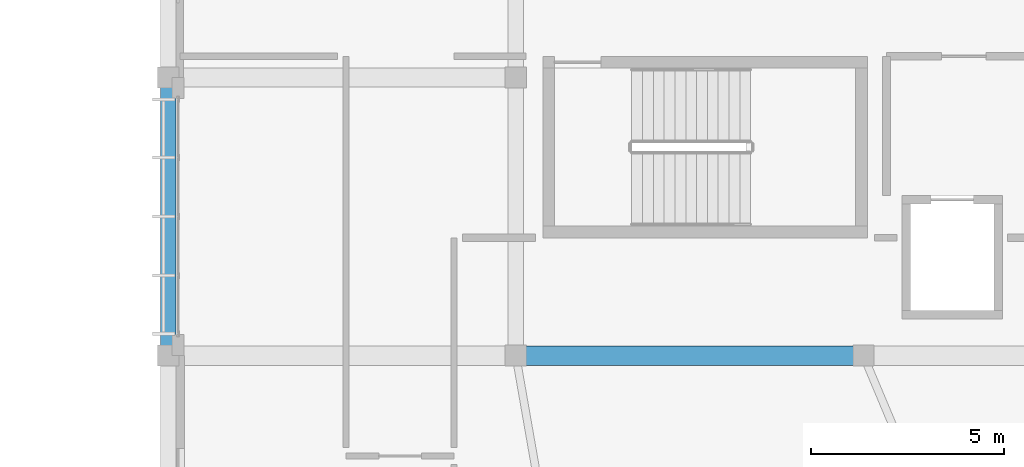
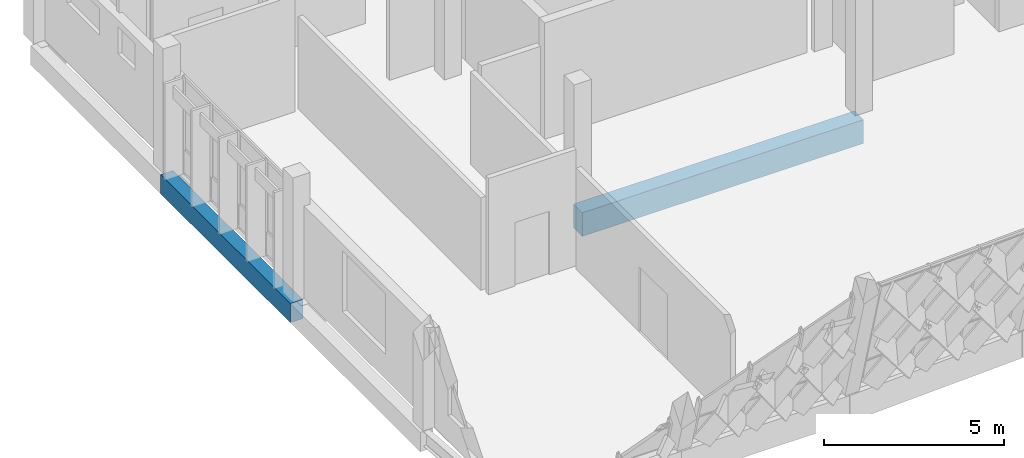
# One storey, part 23 of 94: 2 beams.
"""IFC4 building model written with IfcOpenShell, lengths in metres."""

from ifc_helpers import new_model, si_unit, direction, frame, origin, origin_2d, place, context, subcontext, project, spatial, rectangle, extrude, material, material_profile, profile_set, type_object, element, save


model = new_model("IFC4")

# Units and contexts
model_context = context("Model", 3, precision=1e-05, world=origin(), true_north=direction((0.0, 1.0)))
body_context = subcontext(model_context, "Body", "Model", "MODEL_VIEW")
ifc_project = project(units=[si_unit("LENGTHUNIT", "METRE"), si_unit("AREAUNIT", "SQUARE_METRE"), si_unit("VOLUMEUNIT", "CUBIC_METRE"), si_unit("PLANEANGLEUNIT", "RADIAN"), si_unit("MASSUNIT", "GRAM", prefix="KILO")], contexts=[model_context])

# Site, building, storey
site_placement = place(None, origin())
site = spatial("IfcSite", under=ifc_project, at=site_placement, CompositionType="ELEMENT")
building_placement = place(site_placement, origin())
building = spatial("IfcBuilding", under=site, at=building_placement, Name="Chiffa Square Polytechnic", CompositionType="ELEMENT")
storey_placement = place(building_placement, frame((0.0, 0.0, 18.0)))
storey = spatial("IfcBuildingStorey", under=building, at=storey_placement, Name="L04", CompositionType="ELEMENT", Elevation=18.0)

# Beams
ifc_material_1 = material(Name="Concrete C35/45", Category="concrete")
ifc_material_profile_1 = material_profile(ifc_material_1, rectangle(XDim=0.39990234375, YDim=0.64990234375, at=origin_2d()), Name="RC 400x650")
ifc_profile_set_1 = profile_set([ifc_material_profile_1], Name="Concrete C35/45")
beam_type_1 = type_object("IfcBeamType", Name="BM-RC-400X650", PredefinedType="BEAM", material=ifc_profile_set_1)
beam_1_placement = place(storey_placement, frame((112.199951171875, 14.39990234375, -0.56494140625), z_axis=(0.0, 1.0, 0.0), x_axis=(-1.0, 0.0, 0.0)))
element("IfcBeam", 1, at=beam_1_placement, inside=storey, type_object=beam_type_1, Name="Primary floor girder BM-V1-L04-Y-1122-0144", PredefinedType="BEAM", context=body_context, shape_type="SweptSolid", body=[
    extrude(rectangle(XDim=0.39990234375, YDim=0.64990234375, at=origin_2d()), origin(), (0.0, 0.0, 1.0), 7.2001953125),
])
ifc_material_2 = material(Name="Concrete C40/50", Category="concrete")
ifc_material_profile_2 = material_profile(ifc_material_2, rectangle(XDim=0.5, YDim=0.800048828125, at=origin_2d()), Name="RC 500x800")
ifc_profile_set_2 = profile_set([ifc_material_profile_2], Name="Concrete C40/50")
beam_type_2 = type_object("IfcBeamType", Name="BM-RC-500X800", PredefinedType="BEAM", material=ifc_profile_set_2)
beam_2_placement = place(storey_placement, frame((121.199951171875, 14.39990234375, -0.639892578125), z_axis=(1.0, 0.0, 0.0), x_axis=(0.0, 1.0, 0.0)))
element("IfcBeam", 2, at=beam_2_placement, inside=storey, type_object=beam_type_2, Name="Primary floor girder BM-V1-L04-X-1212-0144", PredefinedType="BEAM", context=body_context, shape_type="SweptSolid", body=[
    extrude(rectangle(XDim=0.5, YDim=0.800048828125, at=origin_2d()), origin(), (0.0, 0.0, 1.0), 9.0),
])

save(model, "model.ifc")
